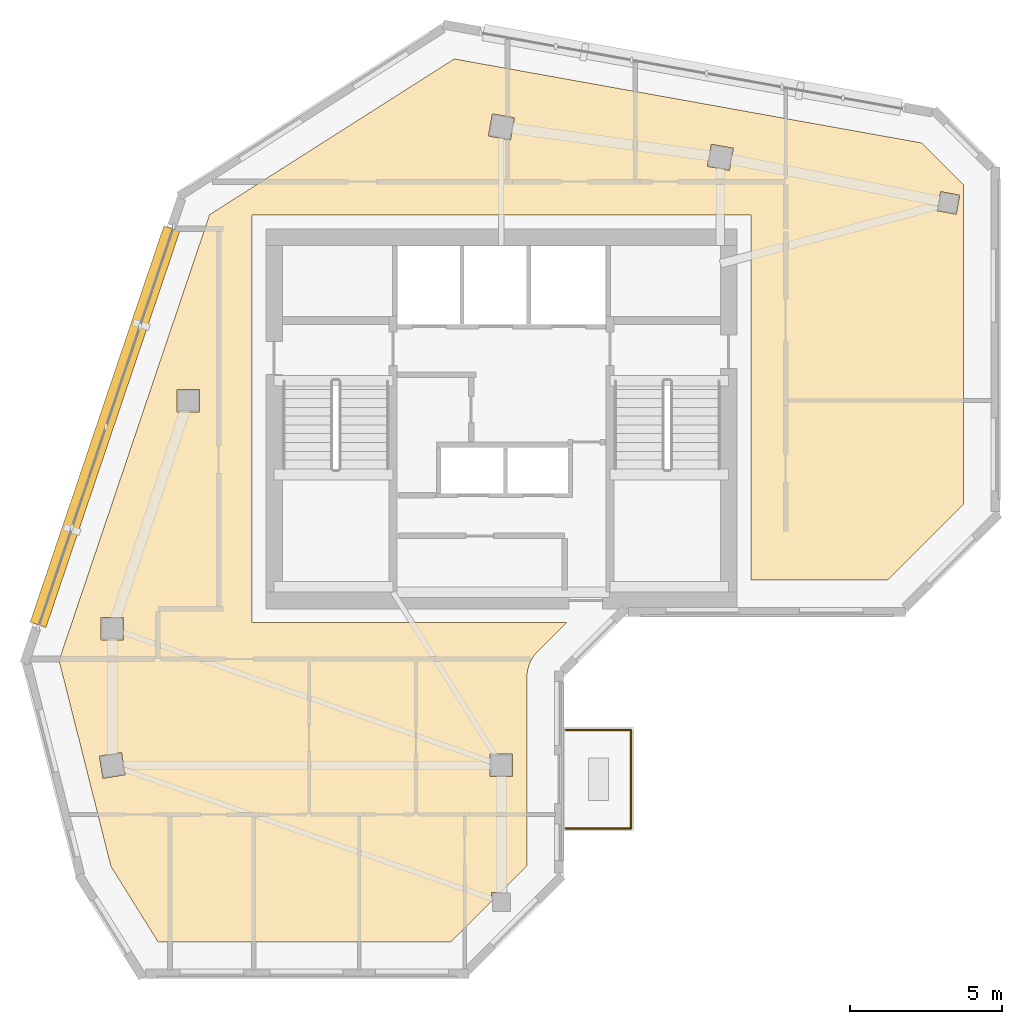
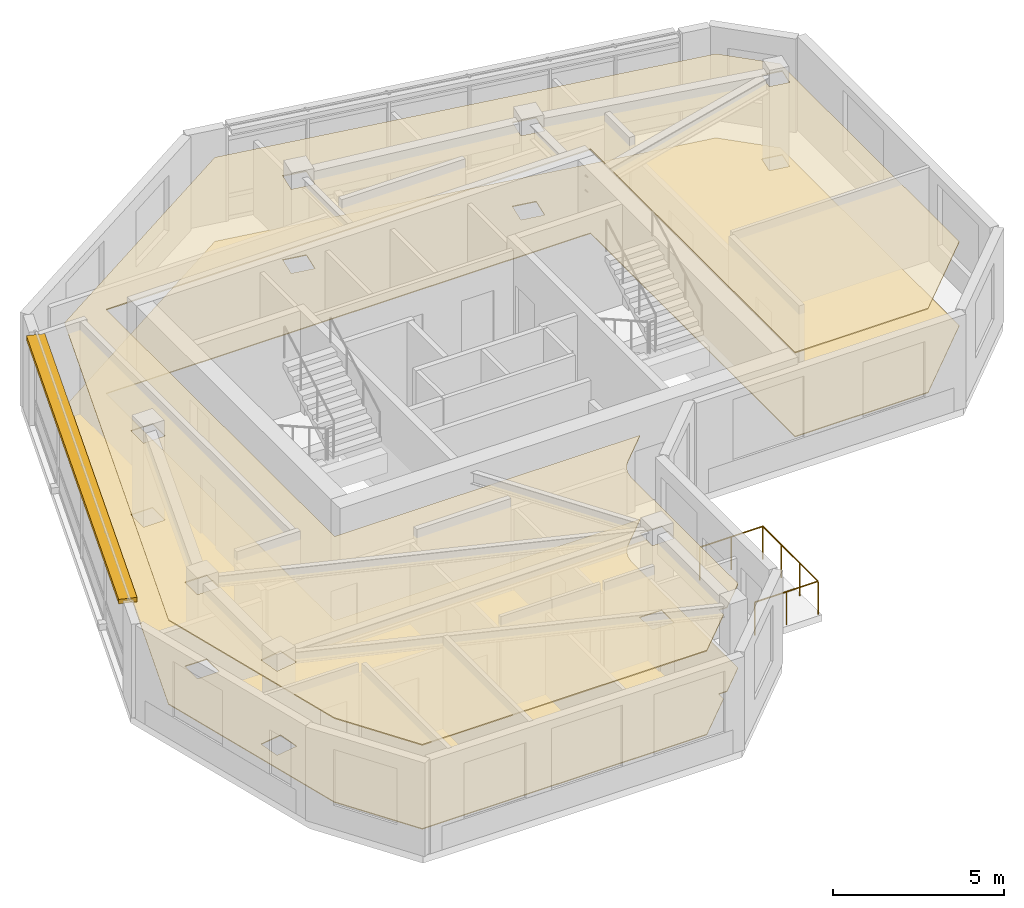
# One storey, part 7 of 8: 3 railings, 2 coverings, 1 shading device.
"""IFC4 building model written with IfcOpenShell, lengths in metres."""

from ifc_helpers import new_model, si_unit, direction, frame, frame_2d, origin, origin_2d, place, context, subcontext, project, spatial, polyline, rectangle, circle, outline, extrude, material, layer, layer_set, type_object, element, save


model = new_model("IFC4")

# Units and contexts
model_context = context("Model", 3, precision=1e-05, world=origin(), true_north=direction((0.0, 1.0)))
body_context = subcontext(model_context, "Body", "Model", "MODEL_VIEW")
ifc_project = project(units=[si_unit("LENGTHUNIT", "METRE"), si_unit("AREAUNIT", "SQUARE_METRE"), si_unit("VOLUMEUNIT", "CUBIC_METRE"), si_unit("PLANEANGLEUNIT", "RADIAN"), si_unit("MASSUNIT", "GRAM", prefix="KILO")], contexts=[model_context])

# Site, building, storey
site_placement = place(None, origin())
site = spatial("IfcSite", under=ifc_project, at=site_placement, CompositionType="ELEMENT")
building_placement = place(site_placement, origin())
building = spatial("IfcBuilding", under=site, at=building_placement, Name="Calvemar Wedge Station Tower", CompositionType="ELEMENT")
storey_placement = place(building_placement, frame((0.0, 0.0, 281.699951171875)))
storey = spatial("IfcBuildingStorey", under=building, at=storey_placement, Name="L72", CompositionType="ELEMENT", Elevation=281.699951171875)

# Coverings
ifc_material_1 = material(Name="Moisture-resistant gypsum ceiling")
ifc_layer_1 = layer(ifc_material_1, 0.0400390625)
ifc_layer_set_1 = layer_set([ifc_layer_1], Name="Moisture-resistant gypsum ceiling")
covering_type_1 = type_object("IfcCoveringType", Name="COV-CEIL-GYPSUM", PredefinedType="CEILING", material=ifc_layer_set_1)
covering_1_placement = place(storey_placement, frame((0.0, 0.0, 3.0)))
element("IfcCovering", 1, at=covering_1_placement, inside=storey, type_object=covering_type_1, Name="Storey L72 Acoustic Suspended Ceiling", PredefinedType="CEILING", context=body_context, shape_type="SweptSolid", body=[
    extrude(outline(polyline([(32.0, 46.60009765625), (32.0, 34.60009765625), (36.5029296875, 34.60009765625), (39.0, 37.09716796875), (39.0, 47.5908203125), (37.617431640625, 48.973388671875), (22.248779296875, 51.736083984375), (14.201416015625, 46.614990234375), (9.25, 31.95068359375), (10.95751953125, 25.176025390625), (12.505126953125, 22.699951171875), (22.142822265625, 22.699951171875), (23.47998046875, 24.037109375), (23.47998046875, 24.320068359375), (23.762939453125, 24.320068359375), (24.639892578125, 25.197021484375), (24.639892578125, 31.39990234375), (24.645751953125, 31.517578125), (24.6630859375, 31.634033203125), (24.691650390625, 31.748291015625), (24.731201171875, 31.859130859375), (24.78173828125, 31.9658203125), (24.84228515625, 32.066650390625), (24.912353515625, 32.161376953125), (24.991455078125, 32.24853515625), (25.94287109375, 33.199951171875), (15.60009765625, 33.199951171875), (15.60009765625, 46.60009765625), (32.0, 46.60009765625)]), holes=[polyline([(10.6298828125, 32.6298828125), (10.6298828125, 33.3701171875), (11.3701171875, 33.3701171875), (11.3701171875, 32.6298828125), (10.6298828125, 32.6298828125)]), polyline([(13.1298828125, 40.8701171875), (13.8701171875, 40.8701171875), (13.8701171875, 40.1298828125), (13.1298828125, 40.1298828125), (13.1298828125, 40.8701171875)]), polyline([(24.229736328125, 49.798583984375), (24.0986328125, 49.0703125), (23.370361328125, 49.201416015625), (23.50146484375, 49.9296875), (24.229736328125, 49.798583984375)]), polyline([(31.298583984375, 48.0703125), (30.5703125, 48.201416015625), (30.701416015625, 48.9296875), (31.4296875, 48.798583984375), (31.298583984375, 48.0703125)]), polyline([(38.12841796875, 46.74169921875), (38.24169921875, 47.37158203125), (38.87158203125, 47.25830078125), (38.75830078125, 46.62841796875), (38.12841796875, 46.74169921875)]), polyline([(11.306884765625, 28.923828125), (11.423828125, 28.193115234375), (10.693115234375, 28.076171875), (10.576171875, 28.806884765625), (11.306884765625, 28.923828125)]), polyline([(24.169921875, 28.8701171875), (24.169921875, 28.1298828125), (23.429931640625, 28.1298828125), (23.429931640625, 28.8701171875), (24.169921875, 28.8701171875)])]), origin(), (0.0, 0.0, 1.0), 0.0400390625),
])
ifc_material_2 = material(Name="Honed coastal granite stone tile", Category="masonry")
ifc_layer_2 = layer(ifc_material_2, 0.030029296875)
ifc_layer_set_2 = layer_set([ifc_layer_2], Name="Honed coastal granite stone tile")
covering_type_2 = type_object("IfcCoveringType", Name="COV-FLR-STONE", PredefinedType="FLOORING", material=ifc_layer_set_2)
covering_2_placement = place(storey_placement, origin())
element("IfcCovering", 2, at=covering_2_placement, inside=storey, type_object=covering_type_2, Name="Storey L72 Architectural Floor Finish", PredefinedType="FLOORING", context=body_context, shape_type="SweptSolid", body=[
    extrude(outline(polyline([(32.0, 46.60009765625), (32.0, 34.60009765625), (36.5029296875, 34.60009765625), (39.0, 37.09716796875), (39.0, 47.5908203125), (37.617431640625, 48.973388671875), (22.248779296875, 51.736083984375), (14.201416015625, 46.614990234375), (9.25, 31.95068359375), (10.95751953125, 25.176025390625), (12.505126953125, 22.699951171875), (22.142822265625, 22.699951171875), (23.47998046875, 24.037109375), (23.47998046875, 24.320068359375), (23.762939453125, 24.320068359375), (24.639892578125, 25.197021484375), (24.639892578125, 31.39990234375), (24.645751953125, 31.517578125), (24.6630859375, 31.634033203125), (24.691650390625, 31.748291015625), (24.731201171875, 31.859130859375), (24.78173828125, 31.9658203125), (24.84228515625, 32.066650390625), (24.912353515625, 32.161376953125), (24.991455078125, 32.24853515625), (25.94287109375, 33.199951171875), (15.60009765625, 33.199951171875), (15.60009765625, 46.60009765625), (32.0, 46.60009765625)]), holes=[polyline([(10.6298828125, 32.6298828125), (10.6298828125, 33.3701171875), (11.3701171875, 33.3701171875), (11.3701171875, 32.6298828125), (10.6298828125, 32.6298828125)]), polyline([(13.1298828125, 40.8701171875), (13.8701171875, 40.8701171875), (13.8701171875, 40.1298828125), (13.1298828125, 40.1298828125), (13.1298828125, 40.8701171875)]), polyline([(24.229736328125, 49.798583984375), (24.0986328125, 49.0703125), (23.370361328125, 49.201416015625), (23.50146484375, 49.9296875), (24.229736328125, 49.798583984375)]), polyline([(31.298583984375, 48.0703125), (30.5703125, 48.201416015625), (30.701416015625, 48.9296875), (31.4296875, 48.798583984375), (31.298583984375, 48.0703125)]), polyline([(38.12841796875, 46.74169921875), (38.24169921875, 47.37158203125), (38.87158203125, 47.25830078125), (38.75830078125, 46.62841796875), (38.12841796875, 46.74169921875)]), polyline([(11.306884765625, 28.923828125), (11.423828125, 28.193115234375), (10.693115234375, 28.076171875), (10.576171875, 28.806884765625), (11.306884765625, 28.923828125)]), polyline([(24.169921875, 28.8701171875), (24.169921875, 28.1298828125), (23.429931640625, 28.1298828125), (23.429931640625, 28.8701171875), (24.169921875, 28.8701171875)])]), origin(), (0.0, 0.0, 1.0), 0.030029296875),
])

# Railings
ifc_material_3 = material(Name="Stainless steel AISI 316L", Category="steel")
railing_type = type_object("IfcRailingType", Name="GRD-TERR-1200", PredefinedType="GUARDRAIL", material=ifc_material_3)
railing_1_placement = place(storey_placement, frame((25.919921875, 29.669921875, 0.0)))
element("IfcRailing", 3, at=railing_1_placement, inside=storey, type_object=railing_type, Name="Storey L72 Spiral Terrace Guard 2", PredefinedType="GUARDRAIL", context=body_context, shape_type="SweptSolid", body=[
    extrude(circle(Radius=0.02392578125, at=origin_2d()), frame((0.0, 0.0, 1.17578125), z_axis=(1.0, 0.0, 0.0), x_axis=(0.0, 1.0, 0.0)), (0.0, 0.0, 1.0), 2.14013671875),
    extrude(circle(Radius=0.02099609375, at=origin_2d()), origin(), (0.0, 0.0, 1.0), 1.15185546875),
    extrude(circle(Radius=0.02099609375, at=origin_2d()), frame((1.070068359375, 0.0, 0.0)), (0.0, 0.0, 1.0), 1.15185546875),
    extrude(circle(Radius=0.02099609375, at=origin_2d()), frame((2.14013671875, 0.0, 0.0)), (0.0, 0.0, 1.0), 1.15185546875),
])
railing_2_placement = place(storey_placement, frame((28.06005859375, 29.669921875, 0.0)))
element("IfcRailing", 4, at=railing_2_placement, inside=storey, type_object=railing_type, Name="Storey L72 Spiral Terrace Guard 3", PredefinedType="GUARDRAIL", context=body_context, shape_type="SweptSolid", body=[
    extrude(circle(Radius=0.02392578125, at=origin_2d()), frame((0.0, 0.0, 1.17578125), z_axis=(0.0, -1.0, 0.0), x_axis=(1.0, 0.0, 0.0)), (0.0, 0.0, 1.0), 3.239990234375),
    extrude(circle(Radius=0.02099609375, at=origin_2d()), origin(), (0.0, 0.0, 1.0), 1.15185546875),
    extrude(circle(Radius=0.02099609375, at=origin_2d()), frame((0.0, -1.080078125, 0.0)), (0.0, 0.0, 1.0), 1.15185546875),
    extrude(circle(Radius=0.02099609375, at=origin_2d()), frame((0.0, -2.159912109375, 0.0)), (0.0, 0.0, 1.0), 1.15185546875),
    extrude(circle(Radius=0.02099609375, at=origin_2d()), frame((0.0, -3.239990234375, 0.0)), (0.0, 0.0, 1.0), 1.15185546875),
])
railing_3_placement = place(storey_placement, frame((28.06005859375, 26.429931640625, 0.0)))
element("IfcRailing", 5, at=railing_3_placement, inside=storey, type_object=railing_type, Name="Storey L72 Spiral Terrace Guard 4", PredefinedType="GUARDRAIL", context=body_context, shape_type="SweptSolid", body=[
    extrude(circle(Radius=0.02392578125, at=origin_2d()), frame((0.0, 0.0, 1.17578125), z_axis=(-1.0, 0.0, 0.0), x_axis=(0.0, -1.0, 0.0)), (0.0, 0.0, 1.0), 2.14013671875),
    extrude(circle(Radius=0.02099609375, at=origin_2d()), origin(), (0.0, 0.0, 1.0), 1.15185546875),
    extrude(circle(Radius=0.02099609375, at=origin_2d()), frame((-1.070068359375, 0.0, 0.0)), (0.0, 0.0, 1.0), 1.15185546875),
    extrude(circle(Radius=0.02099609375, at=origin_2d()), frame((-2.14013671875, 0.0, 0.0)), (0.0, 0.0, 1.0), 1.15185546875),
])

# Shading device
ifc_material_4 = material(Name="Precast concrete C45", Category="concrete")
shading_device_type = type_object("IfcShadingDeviceType", Name="SHD-EYEBROW-1", PredefinedType="SHUTTER", material=ifc_material_4)
shading_device_placement = place(storey_placement, frame((12.960205078125, 46.158447265625, 3.170166015625), z_axis=(0.0, 0.0, 1.0), x_axis=(-0.319920236014, -0.947444479951, 0.0)))
element("IfcShadingDevice", 6, at=shading_device_placement, inside=storey, type_object=shading_device_type, Name="Storey L72 Bronze GFRC Solar Eyebrow 12", PredefinedType="SHUTTER", context=body_context, shape_type="SweptSolid", body=[
    extrude(rectangle(XDim=13.7568359375, YDim=0.550048828125, at=frame_2d((6.87841796875, 0.0))), origin(), (0.0, 0.0, 1.0), 0.159912109375),
])

save(model, "model.ifc")
